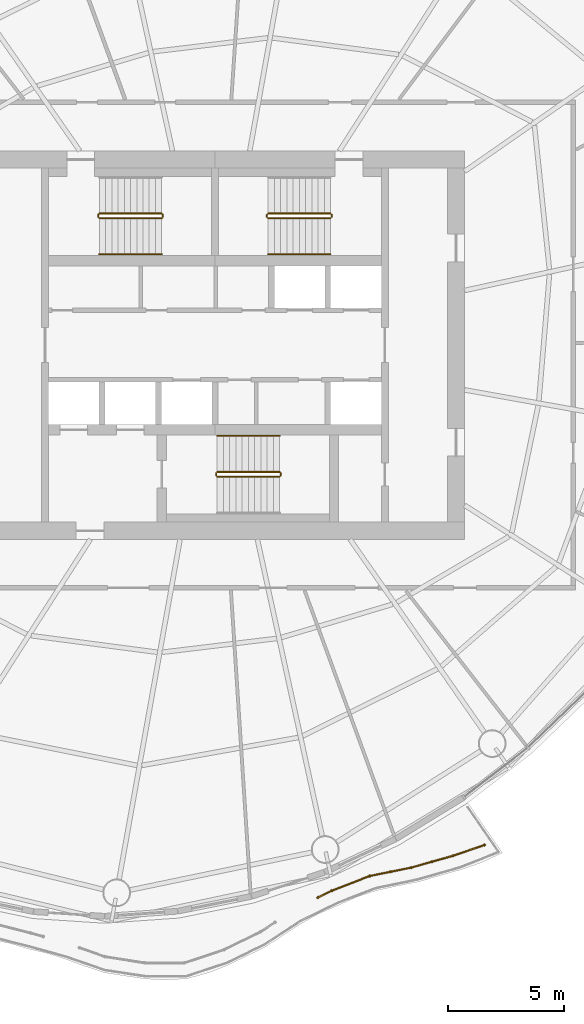
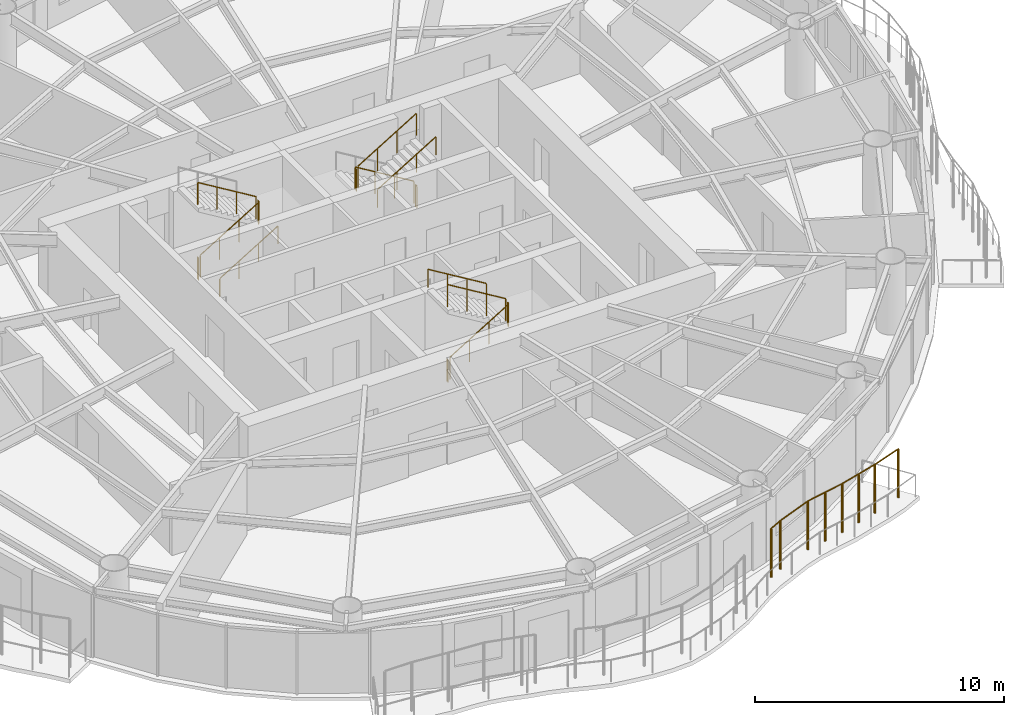
# One storey, part 13 of 15: 16 railings.
"""IFC4 building model written with IfcOpenShell, lengths in metres."""

from ifc_helpers import new_model, si_unit, direction, frame, origin, origin_2d, place, context, subcontext, project, spatial, circle, extrude, material, type_object, element, save


model = new_model("IFC4")

# Units and contexts
model_context = context("Model", 3, precision=1e-05, world=origin(), true_north=direction((0.0, 1.0)))
body_context = subcontext(model_context, "Body", "Model", "MODEL_VIEW")
ifc_project = project(units=[si_unit("LENGTHUNIT", "METRE"), si_unit("AREAUNIT", "SQUARE_METRE"), si_unit("VOLUMEUNIT", "CUBIC_METRE"), si_unit("PLANEANGLEUNIT", "RADIAN"), si_unit("MASSUNIT", "GRAM", prefix="KILO")], contexts=[model_context])

# Site, building, storey
site_placement = place(None, origin())
site = spatial("IfcSite", under=ifc_project, at=site_placement, CompositionType="ELEMENT")
building_placement = place(site_placement, origin())
building = spatial("IfcBuilding", under=site, at=building_placement, Name="Vermilion Reach Broadcast Tower", CompositionType="ELEMENT")
storey_placement = place(building_placement, frame((0.0, 0.0, 220.89990234375)))
storey = spatial("IfcBuildingStorey", under=building, at=storey_placement, Name="L54", CompositionType="ELEMENT", Elevation=220.89990234375)

# Railings
ifc_material_1 = material(Name="Terracotta baguette", Category="masonry")
railing_type_1 = type_object("IfcRailingType", Name="BAGUETTE SCREEN", PredefinedType="USERDEFINED", material=ifc_material_1)
railing_1_placement = place(storey_placement, frame((-1.544677734375, -23.8955078125, 0.0)))
element("IfcRailing", 1, at=railing_1_placement, inside=storey, type_object=railing_type_1, Name="Baguette screen L54 group 3 part 3", ObjectType="BAGUETTE SCREEN", PredefinedType="USERDEFINED", context=body_context, shape_type="SweptSolid", body=[
    extrude(circle(Radius=0.030029296875, at=origin_2d()), frame((0.0, 0.0, 2.369873046875), z_axis=(0.896161938423, 0.443727146029, 0.0), x_axis=(-0.443727146029, 0.896161938423, 0.0)), (0.0, 0.0, 1.0), 0.6728515625),
    extrude(circle(Radius=0.030029296875, at=origin_2d()), frame((0.60302734375, 0.298583984375, 2.369873046875), z_axis=(0.932860819124, 0.360236994413, 0.0), x_axis=(-0.360236994413, 0.932860819124, 0.0)), (0.0, 0.0, 1.0), 1.75537109375),
    extrude(circle(Radius=0.030029296875, at=origin_2d()), frame((2.240478515625, 0.930908203125, 2.369873046875), z_axis=(0.980012898169, 0.198933957439, 0.0), x_axis=(-0.198933957439, 0.980012898169, 0.0)), (0.0, 0.0, 1.0), 1.832275390625),
    extrude(circle(Radius=0.030029296875, at=origin_2d()), frame((4.0361328125, 1.29541015625, 2.369873046875), z_axis=(0.962672094172, 0.270670351356, 0.0), x_axis=(-0.270670351356, 0.962672094172, 0.0)), (0.0, 0.0, 1.0), 1.879638671875),
    extrude(circle(Radius=0.030029296875, at=origin_2d()), frame((5.845703125, 1.80419921875, 2.369873046875), z_axis=(0.945280799959, 0.326257887612, 0.0), x_axis=(-0.326257887612, 0.945280799959, 0.0)), (0.0, 0.0, 1.0), 1.43603515625),
    extrude(circle(Radius=0.050048828125, at=origin_2d()), origin(), (0.0, 0.0, 1.0), 2.33984375),
    extrude(circle(Radius=0.050048828125, at=origin_2d()), frame((0.60302734375, 0.298583984375, 0.0)), (0.0, 0.0, 1.0), 2.33984375),
    extrude(circle(Radius=0.050048828125, at=origin_2d()), frame((2.240478515625, 0.930908203125, 0.0)), (0.0, 0.0, 1.0), 2.33984375),
    extrude(circle(Radius=0.050048828125, at=origin_2d()), frame((3.13818359375, 1.11328125, 0.0)), (0.0, 0.0, 1.0), 2.33984375),
    extrude(circle(Radius=0.050048828125, at=origin_2d()), frame((4.0361328125, 1.29541015625, 0.0)), (0.0, 0.0, 1.0), 2.33984375),
    extrude(circle(Radius=0.050048828125, at=origin_2d()), frame((4.94091796875, 1.5498046875, 0.0)), (0.0, 0.0, 1.0), 2.33984375),
    extrude(circle(Radius=0.050048828125, at=origin_2d()), frame((5.845703125, 1.80419921875, 0.0)), (0.0, 0.0, 1.0), 2.33984375),
    extrude(circle(Radius=0.050048828125, at=origin_2d()), frame((7.203125, 2.272705078125, 0.0)), (0.0, 0.0, 1.0), 2.33984375),
])
ifc_material_2 = material(Name="Stainless steel", Category="steel")
railing_type_2 = type_object("IfcRailingType", Name="Stair guard 1100", PredefinedType="GUARDRAIL", material=ifc_material_2)
railing_2_placement = place(storey_placement, frame((-11.0, 5.489990234375, 0.163818359375)))
element("IfcRailing", 2, at=railing_2_placement, inside=storey, type_object=railing_type_2, Name="L54 ST1 stair guard 1", PredefinedType="GUARDRAIL", context=body_context, shape_type="SweptSolid", body=[
    extrude(circle(Radius=0.02392578125, at=origin_2d()), frame((0.0, 0.0, 1.076171875), z_axis=(0.855212373127, 0.0, 0.518277721738), x_axis=(0.0, 1.0, 0.0)), (0.0, 0.0, 1.0), 3.156982421875),
    extrude(circle(Radius=0.02099609375, at=origin_2d()), origin(), (0.0, 0.0, 1.0), 1.052001953125),
    extrude(circle(Radius=0.02099609375, at=origin_2d()), frame((0.89990234375, 0.0, 0.54541015625)), (0.0, 0.0, 1.0), 1.052001953125),
    extrude(circle(Radius=0.02099609375, at=origin_2d()), frame((1.800048828125, 0.0, 1.0908203125)), (0.0, 0.0, 1.0), 1.052001953125),
    extrude(circle(Radius=0.02099609375, at=origin_2d()), frame((2.699951171875, 0.0, 1.63623046875)), (0.0, 0.0, 1.0), 1.052001953125),
])
railing_3_placement = place(storey_placement, frame((-8.25, 5.5400390625, 1.800048828125)))
element("IfcRailing", 3, at=railing_3_placement, inside=storey, type_object=railing_type_2, Name="L54 ST1 stair guard 2", PredefinedType="GUARDRAIL", context=body_context, shape_type="SweptSolid", body=[
    extrude(circle(Radius=0.02392578125, at=origin_2d()), frame((0.0, 0.0, 1.076171875), z_axis=(0.0, 1.0, 0.0), x_axis=(-1.0, 0.0, 0.0)), (0.0, 0.0, 1.0), 0.099853515625),
    extrude(circle(Radius=0.02099609375, at=origin_2d()), origin(), (0.0, 0.0, 1.0), 1.052001953125),
    extrude(circle(Radius=0.02099609375, at=origin_2d()), frame((0.0, 0.099853515625, 0.0)), (0.0, 0.0, 1.0), 1.052001953125),
])
railing_4_placement = place(storey_placement, frame((-8.300048828125, 5.68994140625, 1.963623046875)))
element("IfcRailing", 4, at=railing_4_placement, inside=storey, type_object=railing_type_2, Name="L54 ST1 stair guard 3", PredefinedType="GUARDRAIL", context=body_context, shape_type="SweptSolid", body=[
    extrude(circle(Radius=0.02392578125, at=origin_2d()), frame((0.0, 0.0, 1.076171875), z_axis=(-0.855178096276, 0.0, 0.518334277904), x_axis=(0.0, -1.0, 0.0)), (0.0, 0.0, 1.0), 3.1572265625),
    extrude(circle(Radius=0.02099609375, at=origin_2d()), origin(), (0.0, 0.0, 1.0), 1.052001953125),
    extrude(circle(Radius=0.02099609375, at=origin_2d()), frame((-0.89990234375, 0.0, 0.54541015625)), (0.0, 0.0, 1.0), 1.052001953125),
    extrude(circle(Radius=0.02099609375, at=origin_2d()), frame((-1.800048828125, 0.0, 1.091064453125)), (0.0, 0.0, 1.0), 1.052001953125),
    extrude(circle(Radius=0.02099609375, at=origin_2d()), frame((-2.699951171875, 0.0, 1.636474609375)), (0.0, 0.0, 1.0), 1.052001953125),
])
railing_5_placement = place(storey_placement, frame((-11.050048828125, 5.5400390625, 0.0)))
element("IfcRailing", 5, at=railing_5_placement, inside=storey, type_object=railing_type_2, Name="L54 ST1 stair guard 4", PredefinedType="GUARDRAIL", context=body_context, shape_type="SweptSolid", body=[
    extrude(circle(Radius=0.02392578125, at=origin_2d()), frame((0.0, 0.0, 1.076171875), z_axis=(0.0, 1.0, 0.0), x_axis=(-1.0, 0.0, 0.0)), (0.0, 0.0, 1.0), 0.099853515625),
    extrude(circle(Radius=0.02099609375, at=origin_2d()), origin(), (0.0, 0.0, 1.0), 1.052001953125),
    extrude(circle(Radius=0.02099609375, at=origin_2d()), frame((0.0, 0.099853515625, 0.0)), (0.0, 0.0, 1.0), 1.052001953125),
])
railing_6_placement = place(storey_placement, frame((-1.0, 5.68994140625, 0.163818359375)))
element("IfcRailing", 6, at=railing_6_placement, inside=storey, type_object=railing_type_2, Name="L54 ST2 stair guard 1", PredefinedType="GUARDRAIL", context=body_context, shape_type="SweptSolid", body=[
    extrude(circle(Radius=0.02392578125, at=origin_2d()), frame((0.0, 0.0, 1.076171875), z_axis=(-0.855212373127, 0.0, 0.518277721738), x_axis=(0.0, -1.0, 0.0)), (0.0, 0.0, 1.0), 3.156982421875),
    extrude(circle(Radius=0.02099609375, at=origin_2d()), origin(), (0.0, 0.0, 1.0), 1.052001953125),
    extrude(circle(Radius=0.02099609375, at=origin_2d()), frame((-0.89990234375, 0.0, 0.54541015625)), (0.0, 0.0, 1.0), 1.052001953125),
    extrude(circle(Radius=0.02099609375, at=origin_2d()), frame((-1.800048828125, 0.0, 1.0908203125)), (0.0, 0.0, 1.0), 1.052001953125),
    extrude(circle(Radius=0.02099609375, at=origin_2d()), frame((-2.699951171875, 0.0, 1.63623046875)), (0.0, 0.0, 1.0), 1.052001953125),
])
railing_7_placement = place(storey_placement, frame((-3.75, 5.639892578125, 1.800048828125)))
element("IfcRailing", 7, at=railing_7_placement, inside=storey, type_object=railing_type_2, Name="L54 ST2 stair guard 2", PredefinedType="GUARDRAIL", context=body_context, shape_type="SweptSolid", body=[
    extrude(circle(Radius=0.02392578125, at=origin_2d()), frame((0.0, 0.0, 1.076171875), z_axis=(0.0, -1.0, 0.0), x_axis=(1.0, 0.0, 0.0)), (0.0, 0.0, 1.0), 0.099853515625),
    extrude(circle(Radius=0.02099609375, at=origin_2d()), origin(), (0.0, 0.0, 1.0), 1.052001953125),
    extrude(circle(Radius=0.02099609375, at=origin_2d()), frame((0.0, -0.099853515625, 0.0)), (0.0, 0.0, 1.0), 1.052001953125),
])
railing_8_placement = place(storey_placement, frame((-3.699951171875, 5.489990234375, 1.963623046875)))
element("IfcRailing", 8, at=railing_8_placement, inside=storey, type_object=railing_type_2, Name="L54 ST2 stair guard 3", PredefinedType="GUARDRAIL", context=body_context, shape_type="SweptSolid", body=[
    extrude(circle(Radius=0.02392578125, at=origin_2d()), frame((0.0, 0.0, 1.076171875), z_axis=(0.855178096276, 0.0, 0.518334277904), x_axis=(0.0, 1.0, 0.0)), (0.0, 0.0, 1.0), 3.1572265625),
    extrude(circle(Radius=0.02099609375, at=origin_2d()), origin(), (0.0, 0.0, 1.0), 1.052001953125),
    extrude(circle(Radius=0.02099609375, at=origin_2d()), frame((0.89990234375, 0.0, 0.54541015625)), (0.0, 0.0, 1.0), 1.052001953125),
    extrude(circle(Radius=0.02099609375, at=origin_2d()), frame((1.800048828125, 0.0, 1.091064453125)), (0.0, 0.0, 1.0), 1.052001953125),
    extrude(circle(Radius=0.02099609375, at=origin_2d()), frame((2.699951171875, 0.0, 1.636474609375)), (0.0, 0.0, 1.0), 1.052001953125),
])
railing_9_placement = place(storey_placement, frame((-0.949951171875, 5.639892578125, 0.0)))
element("IfcRailing", 9, at=railing_9_placement, inside=storey, type_object=railing_type_2, Name="L54 ST2 stair guard 4", PredefinedType="GUARDRAIL", context=body_context, shape_type="SweptSolid", body=[
    extrude(circle(Radius=0.02392578125, at=origin_2d()), frame((0.0, 0.0, 1.076171875), z_axis=(0.0, -1.0, 0.0), x_axis=(1.0, 0.0, 0.0)), (0.0, 0.0, 1.0), 0.099853515625),
    extrude(circle(Radius=0.02099609375, at=origin_2d()), origin(), (0.0, 0.0, 1.0), 1.052001953125),
    extrude(circle(Radius=0.02099609375, at=origin_2d()), frame((0.0, -0.099853515625, 0.0)), (0.0, 0.0, 1.0), 1.052001953125),
])
railing_10_placement = place(storey_placement, frame((-5.89990234375, -5.68994140625, 0.163818359375)))
element("IfcRailing", 10, at=railing_10_placement, inside=storey, type_object=railing_type_2, Name="L54 ST3 stair guard 1", PredefinedType="GUARDRAIL", context=body_context, shape_type="SweptSolid", body=[
    extrude(circle(Radius=0.02392578125, at=origin_2d()), frame((0.0, 0.0, 1.076171875), z_axis=(0.855212373127, 0.0, 0.518277721738), x_axis=(0.0, 1.0, 0.0)), (0.0, 0.0, 1.0), 3.156982421875),
    extrude(circle(Radius=0.02099609375, at=origin_2d()), origin(), (0.0, 0.0, 1.0), 1.052001953125),
    extrude(circle(Radius=0.02099609375, at=origin_2d()), frame((0.89990234375, 0.0, 0.54541015625)), (0.0, 0.0, 1.0), 1.052001953125),
    extrude(circle(Radius=0.02099609375, at=origin_2d()), frame((1.800048828125, 0.0, 1.0908203125)), (0.0, 0.0, 1.0), 1.052001953125),
    extrude(circle(Radius=0.02099609375, at=origin_2d()), frame((2.699951171875, 0.0, 1.63623046875)), (0.0, 0.0, 1.0), 1.052001953125),
])
railing_11_placement = place(storey_placement, frame((-3.14990234375, -5.639892578125, 1.800048828125)))
element("IfcRailing", 11, at=railing_11_placement, inside=storey, type_object=railing_type_2, Name="L54 ST3 stair guard 2", PredefinedType="GUARDRAIL", context=body_context, shape_type="SweptSolid", body=[
    extrude(circle(Radius=0.02392578125, at=origin_2d()), frame((0.0, 0.0, 1.076171875), z_axis=(0.0, 1.0, 0.0), x_axis=(-1.0, 0.0, 0.0)), (0.0, 0.0, 1.0), 0.099853515625),
    extrude(circle(Radius=0.02099609375, at=origin_2d()), origin(), (0.0, 0.0, 1.0), 1.052001953125),
    extrude(circle(Radius=0.02099609375, at=origin_2d()), frame((0.0, 0.099853515625, 0.0)), (0.0, 0.0, 1.0), 1.052001953125),
])
railing_12_placement = place(storey_placement, frame((-3.199951171875, -5.489990234375, 1.963623046875)))
element("IfcRailing", 12, at=railing_12_placement, inside=storey, type_object=railing_type_2, Name="L54 ST3 stair guard 3", PredefinedType="GUARDRAIL", context=body_context, shape_type="SweptSolid", body=[
    extrude(circle(Radius=0.02392578125, at=origin_2d()), frame((0.0, 0.0, 1.076171875), z_axis=(-0.855178096276, 0.0, 0.518334277904), x_axis=(0.0, -1.0, 0.0)), (0.0, 0.0, 1.0), 3.1572265625),
    extrude(circle(Radius=0.02099609375, at=origin_2d()), origin(), (0.0, 0.0, 1.0), 1.052001953125),
    extrude(circle(Radius=0.02099609375, at=origin_2d()), frame((-0.89990234375, 0.0, 0.54541015625)), (0.0, 0.0, 1.0), 1.052001953125),
    extrude(circle(Radius=0.02099609375, at=origin_2d()), frame((-1.800048828125, 0.0, 1.091064453125)), (0.0, 0.0, 1.0), 1.052001953125),
    extrude(circle(Radius=0.02099609375, at=origin_2d()), frame((-2.699951171875, 0.0, 1.636474609375)), (0.0, 0.0, 1.0), 1.052001953125),
])
railing_13_placement = place(storey_placement, frame((-5.949951171875, -5.639892578125, 0.0)))
element("IfcRailing", 13, at=railing_13_placement, inside=storey, type_object=railing_type_2, Name="L54 ST3 stair guard 4", PredefinedType="GUARDRAIL", context=body_context, shape_type="SweptSolid", body=[
    extrude(circle(Radius=0.02392578125, at=origin_2d()), frame((0.0, 0.0, 1.076171875), z_axis=(0.0, 1.0, 0.0), x_axis=(-1.0, 0.0, 0.0)), (0.0, 0.0, 1.0), 0.099853515625),
    extrude(circle(Radius=0.02099609375, at=origin_2d()), origin(), (0.0, 0.0, 1.0), 1.052001953125),
    extrude(circle(Radius=0.02099609375, at=origin_2d()), frame((0.0, 0.099853515625, 0.0)), (0.0, 0.0, 1.0), 1.052001953125),
])
ifc_material_3 = material(Name="Stainless steel", Category="steel")
railing_type_3 = type_object("IfcRailingType", Name="Stair handrail", PredefinedType="HANDRAIL", material=ifc_material_3)
railing_14_placement = place(storey_placement, frame((-11.0, 3.929931640625, 0.163818359375)))
element("IfcRailing", 14, at=railing_14_placement, inside=storey, type_object=railing_type_3, Name="L54 ST1 stair handrail 1", PredefinedType="HANDRAIL", context=body_context, shape_type="SweptSolid", body=[
    extrude(circle(Radius=0.02392578125, at=origin_2d()), frame((0.0, 0.0, 0.8759765625), z_axis=(0.855212373127, 0.0, 0.518277721738), x_axis=(0.0, 1.0, 0.0)), (0.0, 0.0, 1.0), 3.156982421875),
    extrude(circle(Radius=0.02099609375, at=origin_2d()), origin(), (0.0, 0.0, 1.0), 0.851806640625),
    extrude(circle(Radius=0.02099609375, at=origin_2d()), frame((0.89990234375, 0.0, 0.54541015625)), (0.0, 0.0, 1.0), 0.851806640625),
    extrude(circle(Radius=0.02099609375, at=origin_2d()), frame((1.800048828125, 0.0, 1.0908203125)), (0.0, 0.0, 1.0), 0.851806640625),
    extrude(circle(Radius=0.02099609375, at=origin_2d()), frame((2.699951171875, 0.0, 1.63623046875)), (0.0, 0.0, 1.0), 0.851806640625),
])
railing_15_placement = place(storey_placement, frame((-3.699951171875, 3.929931640625, 1.963623046875)))
element("IfcRailing", 15, at=railing_15_placement, inside=storey, type_object=railing_type_3, Name="L54 ST2 stair handrail 2", PredefinedType="HANDRAIL", context=body_context, shape_type="SweptSolid", body=[
    extrude(circle(Radius=0.02392578125, at=origin_2d()), frame((0.0, 0.0, 0.8759765625), z_axis=(0.855178096276, 0.0, 0.518334277904), x_axis=(0.0, 1.0, 0.0)), (0.0, 0.0, 1.0), 3.1572265625),
    extrude(circle(Radius=0.02099609375, at=origin_2d()), origin(), (0.0, 0.0, 1.0), 0.851806640625),
    extrude(circle(Radius=0.02099609375, at=origin_2d()), frame((0.89990234375, 0.0, 0.54541015625)), (0.0, 0.0, 1.0), 0.851806640625),
    extrude(circle(Radius=0.02099609375, at=origin_2d()), frame((1.800048828125, 0.0, 1.091064453125)), (0.0, 0.0, 1.0), 0.851806640625),
    extrude(circle(Radius=0.02099609375, at=origin_2d()), frame((2.699951171875, 0.0, 1.636474609375)), (0.0, 0.0, 1.0), 0.851806640625),
])
railing_16_placement = place(storey_placement, frame((-3.199951171875, -3.929931640625, 1.963623046875)))
element("IfcRailing", 16, at=railing_16_placement, inside=storey, type_object=railing_type_3, Name="L54 ST3 stair handrail 2", PredefinedType="HANDRAIL", context=body_context, shape_type="SweptSolid", body=[
    extrude(circle(Radius=0.02392578125, at=origin_2d()), frame((0.0, 0.0, 0.8759765625), z_axis=(-0.855178096276, 0.0, 0.518334277904), x_axis=(0.0, -1.0, 0.0)), (0.0, 0.0, 1.0), 3.1572265625),
    extrude(circle(Radius=0.02099609375, at=origin_2d()), origin(), (0.0, 0.0, 1.0), 0.851806640625),
    extrude(circle(Radius=0.02099609375, at=origin_2d()), frame((-0.89990234375, 0.0, 0.54541015625)), (0.0, 0.0, 1.0), 0.851806640625),
    extrude(circle(Radius=0.02099609375, at=origin_2d()), frame((-1.800048828125, 0.0, 1.091064453125)), (0.0, 0.0, 1.0), 0.851806640625),
    extrude(circle(Radius=0.02099609375, at=origin_2d()), frame((-2.699951171875, 0.0, 1.636474609375)), (0.0, 0.0, 1.0), 0.851806640625),
])

save(model, "model.ifc")
